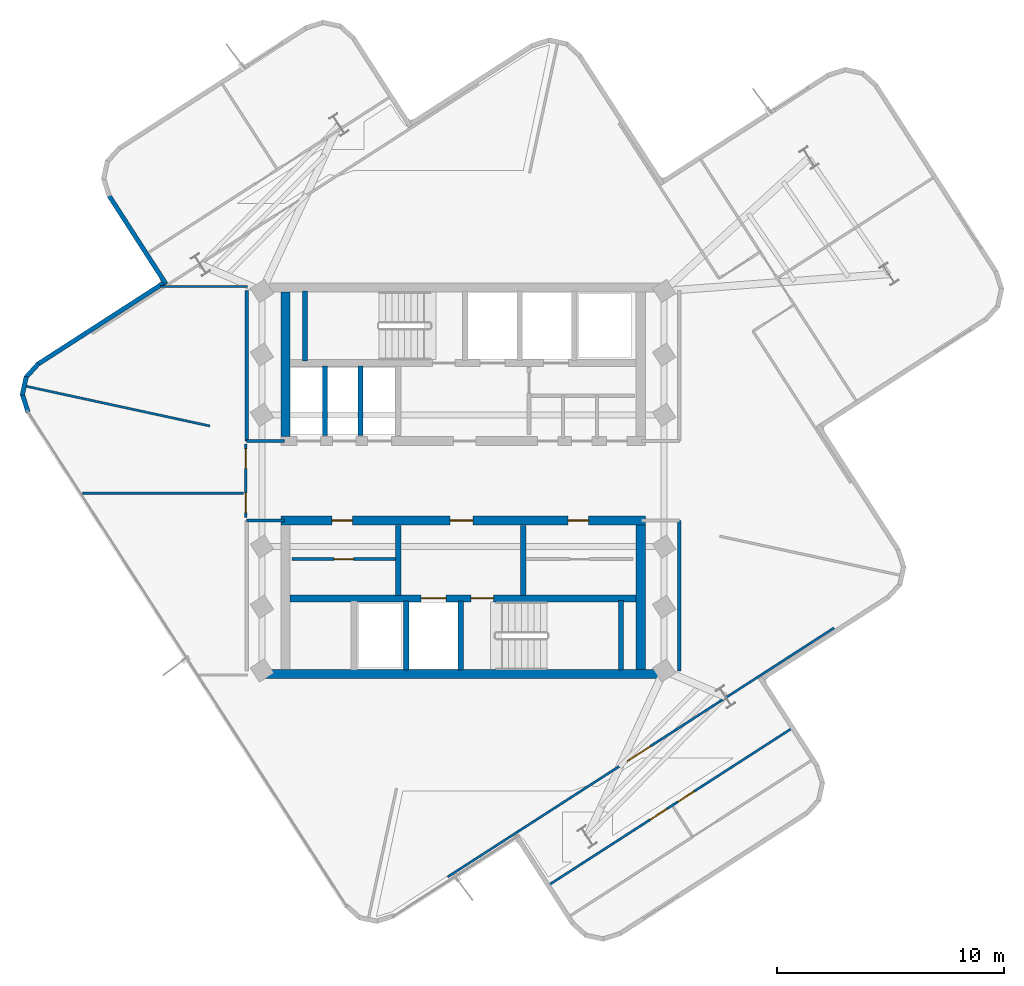
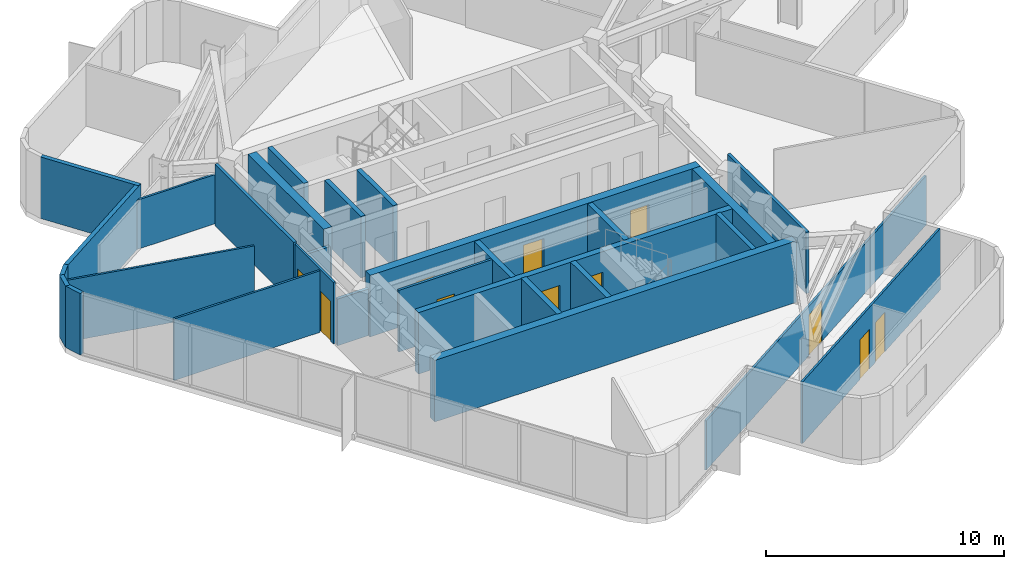
# One storey, part 5 of 9: 29 walls, 11 doors, 11 openings.
"""IFC4 building model written with IfcOpenShell, lengths in metres."""

import ifcopenshell
import ifcopenshell.guid

model = None  # the IFC model being written
_history = None  # IfcOwnerHistory: only IFC2X3 demands one
_inside = {}  # id of a spatial element -> (the spatial element, [elements in it])
_under = {}  # id of a project, library or spatial element -> (it, [spatial elements below it])
_declared = {}  # id of a project -> (the project, [libraries it declares])
_typed = {}  # id of a type object -> (the type object, [elements of that type])
_made_of = {}  # id of a material, layer set ... -> (it, [elements and type objects made of it])


def new_model(schema):
    """Start an empty IFC model of exactly this schema.

    Asked for "IFC4X3", IfcOpenShell would pick the latest addendum, in which some entities
    have other attributes; the version numbers below select the first issue.
    IFC2X3 requires an IfcOwnerHistory on every rooted entity: one is made here for all.
    """
    global model, _history
    if schema == "IFC4X3":
        model = ifcopenshell.file(schema_version=(4, 3, 0, 0))
    else:
        model = ifcopenshell.file(schema=schema)
    _inside.clear()
    _under.clear()
    _declared.clear()
    _typed.clear()
    _made_of.clear()
    _history = None
    if model.schema == "IFC2X3":
        org = make("IfcOrganization", Name="unknown")
        user = make(
            "IfcPersonAndOrganization",
            ThePerson=make("IfcPerson", FamilyName="unknown"),
            TheOrganization=org,
        )
        app = make(
            "IfcApplication",
            ApplicationDeveloper=org,
            Version="unknown",
            ApplicationFullName="unknown",
            ApplicationIdentifier="unknown",
        )
        _history = make(
            "IfcOwnerHistory",
            OwningUser=user,
            OwningApplication=app,
            ChangeAction="ADDED",
            CreationDate=0,
        )
    return model


def make(cls, **values):
    """One entity of the class cls with the attributes given. An attribute that is None is left unset."""
    return model.create_entity(
        cls, **{name: value for name, value in values.items() if value is not None}
    )


def rooted(cls, **values):
    """An entity with a GlobalId (a new one), such as an element, a storey or a relation."""
    return make(cls, GlobalId=ifcopenshell.guid.new(), OwnerHistory=_history, **values)


def si_unit(unit_type, name, prefix=None):
    """IfcSIUnit, for example si_unit("LENGTHUNIT", "METRE", prefix="MILLI")."""
    return make("IfcSIUnit", UnitType=unit_type, Prefix=prefix, Name=name)


def assignment(units):
    """IfcUnitAssignment: the units of a project."""
    return None if units is None else make("IfcUnitAssignment", Units=units)


def point(xyz):
    """IfcCartesianPoint."""
    return None if xyz is None else make("IfcCartesianPoint", Coordinates=xyz)


def direction(xyz):
    """IfcDirection."""
    return None if xyz is None else make("IfcDirection", DirectionRatios=xyz)


def frame(location, z_axis=None, x_axis=None):
    """IfcAxis2Placement3D, a coordinate frame: its origin and axes. An axis left out is left unset."""
    return make(
        "IfcAxis2Placement3D",
        Location=point(location),
        Axis=direction(z_axis),
        RefDirection=direction(x_axis),
    )


def frame_2d(location, x_axis=None):
    """IfcAxis2Placement2D, a coordinate frame in the plane: its origin and x axis."""
    return make(
        "IfcAxis2Placement2D", Location=point(location), RefDirection=direction(x_axis)
    )


def origin():
    """The frame at (0, 0, 0) with its axes left unset."""
    return frame((0.0, 0.0, 0.0))


def place(relative_to, where):
    """IfcLocalPlacement: puts the frame where relative to a parent placement (None: the world)."""
    return make(
        "IfcLocalPlacement", PlacementRelTo=relative_to, RelativePlacement=where
    )


def context(
    kind, dimensions, precision=None, world=None, true_north=None, identifier=None
):
    """IfcGeometricRepresentationContext, for example the 3D "Model" context."""
    return make(
        "IfcGeometricRepresentationContext",
        ContextIdentifier=identifier,
        ContextType=kind,
        CoordinateSpaceDimension=dimensions,
        Precision=precision,
        WorldCoordinateSystem=world,
        TrueNorth=true_north,
    )


def subcontext(parent, identifier, kind, view, scale=None):
    """IfcGeometricRepresentationSubContext, for example "Body" below "Model"."""
    return make(
        "IfcGeometricRepresentationSubContext",
        ContextIdentifier=identifier,
        ContextType=kind,
        ParentContext=parent,
        TargetScale=scale,
        TargetView=view,
    )


def project(units=None, contexts=None):
    """IfcProject with its units and contexts."""
    return rooted(
        "IfcProject",
        Name="project",
        RepresentationContexts=contexts,
        UnitsInContext=assignment(units),
    )


def spatial(cls, under=None, at=None, **own):
    """A site, building, storey or space (cls), placed at a placement, below another one or the project."""
    s = rooted(cls, ObjectPlacement=at, **own)
    if under is not None:
        _under.setdefault(under.id(), (under, []))[1].append(s)
    return s


def profile(cls, at=None, kind="AREA", **sizes):
    """A parametric profile (cls). Its sizes go by their IFC names, for example OverallWidth=200.0."""
    return make(cls, ProfileType=kind, Position=at, **sizes)


def rectangle(**sizes):
    """IfcRectangleProfileDef."""
    return profile("IfcRectangleProfileDef", **sizes)


def extrude(swept, where, along, depth):
    """IfcExtrudedAreaSolid: the profile swept, set in the frame where, extruded along a direction by depth."""
    return make(
        "IfcExtrudedAreaSolid",
        SweptArea=swept,
        Position=where,
        ExtrudedDirection=direction(along),
        Depth=depth,
    )


def shape(context_of_items, identifier, shape_type, items):
    """IfcShapeRepresentation: the items that make up one representation, for example the "Body"."""
    return make(
        "IfcShapeRepresentation",
        ContextOfItems=context_of_items,
        RepresentationIdentifier=identifier,
        RepresentationType=shape_type,
        Items=items,
    )


def material(Name=None, Category=None):
    """IfcMaterial."""
    return make("IfcMaterial", Name=Name, Category=Category)


def layer(
    of_material, thickness, ventilated=None, Name=None, Category=None, Priority=None
):
    """IfcMaterialLayer: one layer of a wall or slab, of a material (None: an air gap)."""
    return make(
        "IfcMaterialLayer",
        Material=of_material,
        LayerThickness=thickness,
        IsVentilated=ventilated,
        Name=Name,
        Category=Category,
        Priority=Priority,
    )


def layer_set(layers, Name=None):
    """IfcMaterialLayerSet."""
    return make("IfcMaterialLayerSet", MaterialLayers=layers, LayerSetName=Name)


def made_of(thing, what):
    """Note that an element or type object is made of a material, layer set ...; save() writes the relation."""
    if what is not None:
        _made_of.setdefault(what.id(), (what, []))[1].append(thing)
    return thing


def type_object(cls, material=None, **own):
    """A type object (cls), such as IfcWallType, which elements share."""
    return made_of(rooted(cls, **own), material)


def element(
    cls,
    number,
    at=None,
    inside=None,
    cuts=None,
    type_object=None,
    material=None,
    context=None,
    identifier="Body",
    shape_type=None,
    held_by="IfcProductDefinitionShape",
    body=None,
    shapes=None,
    **own,
):
    """One element of the class cls, such as IfcWall. Its Tag is "e" and its number.

    at: its placement. inside: the storey or other place that contains it. cuts: it is an
    opening in that element (IfcRelVoidsElement). A single representation is given by context,
    identifier, shape_type and body (its items); several are given by shapes. held_by: the class
    of the entity that holds the representations. save() writes the other relations.
    """
    e = rooted(cls, Tag="e%d" % number, ObjectPlacement=at, **own)
    if body is not None:
        shapes = [shape(context, identifier, shape_type, body)]
    if shapes is not None:
        e.Representation = make(held_by, Representations=shapes)
    if inside is not None:
        _inside.setdefault(inside.id(), (inside, []))[1].append(e)
    if cuts is not None:
        rooted(
            "IfcRelVoidsElement", RelatingBuildingElement=cuts, RelatedOpeningElement=e
        )
    if type_object is not None:
        _typed.setdefault(type_object.id(), (type_object, []))[1].append(e)
    return made_of(e, material)


def fill(opening, filler):
    """IfcRelFillsElement: the door or window that sits in an opening."""
    return rooted(
        "IfcRelFillsElement",
        RelatingOpeningElement=opening,
        RelatedBuildingElement=filler,
    )


def aggregate(whole, parts):
    """IfcRelAggregates: a whole, such as a stair, and the parts it consists of."""
    return rooted("IfcRelAggregates", RelatingObject=whole, RelatedObjects=parts)


def save(model, path):
    """Write the relations noted so far, then the file.

    IfcRelAggregates (storeys below a building ...), IfcRelContainedInSpatialStructure (elements
    in a storey), IfcRelDefinesByType, IfcRelAssociatesMaterial and IfcRelDeclares: one each for
    every whole, place, type object, material and project.
    """
    for whole, parts in _under.values():
        aggregate(whole, parts)
    for where, things in _inside.values():
        rooted(
            "IfcRelContainedInSpatialStructure",
            RelatedElements=things,
            RelatingStructure=where,
        )
    for kind, things in _typed.values():
        rooted("IfcRelDefinesByType", RelatedObjects=things, RelatingType=kind)
    for what, things in _made_of.values():
        rooted("IfcRelAssociatesMaterial", RelatedObjects=things, RelatingMaterial=what)
    for by, libraries in _declared.values():
        rooted("IfcRelDeclares", RelatingContext=by, RelatedDefinitions=libraries)
    model.write(path)


model = new_model("IFC4")

# Units and contexts
model_context = context("Model", 3, precision=1e-05, world=origin(), true_north=direction((0.0, 1.0)))
body_context = subcontext(model_context, "Body", "Model", "MODEL_VIEW")
ifc_project = project(units=[si_unit("LENGTHUNIT", "METRE"), si_unit("AREAUNIT", "SQUARE_METRE"), si_unit("VOLUMEUNIT", "CUBIC_METRE"), si_unit("PLANEANGLEUNIT", "RADIAN"), si_unit("MASSUNIT", "GRAM", prefix="KILO")], contexts=[model_context])

# Site, building, storey
site_placement = place(None, origin())
site = spatial("IfcSite", under=ifc_project, at=site_placement, CompositionType="ELEMENT")
building_placement = place(site_placement, origin())
building = spatial("IfcBuilding", under=site, at=building_placement, Name="Solmarez Civic Tower", CompositionType="ELEMENT")
storey_placement = place(building_placement, frame((0.0, 0.0, 215.4599609375)))
storey = spatial("IfcBuildingStorey", under=building, at=storey_placement, Name="L57", CompositionType="ELEMENT", Elevation=215.4599609375)

# Walls
ifc_material_1 = material(Name="Concrete C50/60", Category="concrete")
ifc_layer_1 = layer(ifc_material_1, 0.39990234375)
ifc_layer_set_1 = layer_set([ifc_layer_1], Name="Concrete C50/60")
wall_type_1 = type_object("IfcWallType", Name="WALL-CORE-400", PredefinedType="SHEAR", material=ifc_layer_set_1)
wall_1_placement = place(storey_placement, frame((-7.820068359375, 1.949951171875, 0.0), z_axis=(0.0, 0.0, 1.0), x_axis=(0.0, 1.0, 0.0)))
element("IfcWall", 1, at=wall_1_placement, inside=storey, type_object=wall_type_1, Name="L57 Split-Core Structural Wall NCW-W-L57", PredefinedType="SHEAR", context=body_context, shape_type="SweptSolid", body=[
    extrude(rectangle(XDim=6.360107421875, YDim=0.39990234375, at=frame_2d((3.18017578125, 0.0))), origin(), (0.0, 0.0, 1.0), 3.16015625),
])
wall_2_placement = place(storey_placement, frame((8.780029296875, -8.510009765625, 0.0), z_axis=(0.0, 0.0, 1.0), x_axis=(-1.0, 0.0, 0.0)))
element("IfcWall", 2, at=wall_2_placement, inside=storey, type_object=wall_type_1, Name="L57 Split-Core Structural Wall SCW-S-L57", PredefinedType="SHEAR", context=body_context, shape_type="SweptSolid", body=[
    extrude(rectangle(XDim=17.56005859375, YDim=0.39990234375, at=frame_2d((8.780029296875, 0.0))), origin(), (0.0, 0.0, 1.0), 3.16015625),
])

# Wall, openings, doors
wall_3_placement = place(storey_placement, frame((-8.02001953125, -1.75, 0.0), z_axis=(0.0, 0.0, 1.0), x_axis=(1.0, 0.0, 0.0)))
wall_3 = element("IfcWall", 3, at=wall_3_placement, inside=storey, type_object=wall_type_1, Name="L57 Split-Core Structural Wall SCW-N-L57", PredefinedType="SHEAR", context=body_context, shape_type="SweptSolid", body=[
    extrude(rectangle(XDim=16.0400390625, YDim=0.39990234375, at=frame_2d((8.02001953125, 0.0))), origin(), (0.0, 0.0, 1.0), 3.16015625),
])
opening_1_placement = place(wall_3_placement, frame((7.449951171875, 0.0, 0.0)))
opening_1 = element("IfcOpeningElement", 4, at=opening_1_placement, cuts=wall_3, Name="Opening D-04", PredefinedType="OPENING", context=body_context, shape_type="SweptSolid", body=[
    extrude(rectangle(XDim=1.0, YDim=2.10009765625, at=frame_2d((0.5, 1.050048828125))), frame((0.0, 0.2099609375, 0.0), z_axis=(0.0, -1.0, 0.0), x_axis=(1.0, 0.0, 0.0)), (0.0, 0.0, 1.0), 0.419921875),
])
opening_2_placement = place(wall_3_placement, frame((12.64990234375, 0.0, 0.0)))
opening_2 = element("IfcOpeningElement", 5, at=opening_2_placement, cuts=wall_3, Name="Opening D-09", PredefinedType="OPENING", context=body_context, shape_type="SweptSolid", body=[
    extrude(rectangle(XDim=0.89990234375, YDim=2.06005859375, at=frame_2d((0.449951171875, 1.030029296875))), frame((0.0, 0.2099609375, 0.0), z_axis=(0.0, -1.0, 0.0), x_axis=(1.0, 0.0, 0.0)), (0.0, 0.0, 1.0), 0.419921875),
])
opening_3_placement = place(wall_3_placement, frame((2.25, 0.0, 0.0)))
opening_3 = element("IfcOpeningElement", 6, at=opening_3_placement, cuts=wall_3, Name="Opening D-09", PredefinedType="OPENING", context=body_context, shape_type="SweptSolid", body=[
    extrude(rectangle(XDim=0.89990234375, YDim=2.06005859375, at=frame_2d((0.449951171875, 1.030029296875))), frame((0.0, 0.2099609375, 0.0), z_axis=(0.0, -1.0, 0.0), x_axis=(1.0, 0.0, 0.0)), (0.0, 0.0, 1.0), 0.419921875),
])
ifc_material_2 = material(Name="Steel-Faced Acoustic Fire Door", Category="steel")
door_type_1 = type_object("IfcDoorType", Name="DOOR-FD60-1000", OperationType="NOTDEFINED", PredefinedType="DOOR", material=ifc_material_2)
door_1_placement = place(opening_1_placement, origin())
door_1 = element("IfcDoor", 7, at=door_1_placement, inside=storey, type_object=door_type_1, Name="L57 South Firefighting Lobby Door", OperationType="SINGLE_SWING_LEFT", OverallHeight=2.10009765625, OverallWidth=1.0, PredefinedType="DOOR", context=body_context, shape_type="SweptSolid", body=[
    extrude(rectangle(XDim=1.0, YDim=2.10009765625, at=frame_2d((0.5, 1.050048828125))), frame((0.0, 0.02490234375, 0.0), z_axis=(0.0, -1.0, 0.0), x_axis=(1.0, 0.0, 0.0)), (0.0, 0.0, 1.0), 0.050048828125),
])
fill(opening_1, door_1)
ifc_material_3 = material(Name="Fire-Rated Service Core Door", Category="wood")
door_type_2 = type_object("IfcDoorType", Name="DOOR-FD60-900", OperationType="NOTDEFINED", PredefinedType="DOOR", material=ifc_material_3)
door_2_placement = place(opening_2_placement, origin())
door_2 = element("IfcDoor", 8, at=door_2_placement, inside=storey, type_object=door_type_2, Name="L57 Freed Hoistway Mailroom Door", OperationType="SINGLE_SWING_LEFT", OverallHeight=2.06005859375, OverallWidth=0.89990234375, PredefinedType="DOOR", context=body_context, shape_type="SweptSolid", body=[
    extrude(rectangle(XDim=0.89990234375, YDim=2.06005859375, at=frame_2d((0.449951171875, 1.030029296875))), frame((0.0, 0.02490234375, 0.0), z_axis=(0.0, -1.0, 0.0), x_axis=(1.0, 0.0, 0.0)), (0.0, 0.0, 1.0), 0.050048828125),
])
fill(opening_2, door_2)
door_3_placement = place(opening_3_placement, origin())
door_3 = element("IfcDoor", 9, at=door_3_placement, inside=storey, type_object=door_type_2, Name="L57 Staff Kitchenette Pantry Door", OperationType="SINGLE_SWING_RIGHT", OverallHeight=2.06005859375, OverallWidth=0.89990234375, PredefinedType="DOOR", context=body_context, shape_type="SweptSolid", body=[
    extrude(rectangle(XDim=0.89990234375, YDim=2.06005859375, at=frame_2d((0.449951171875, 1.030029296875))), frame((0.0, 0.02490234375, 0.0), z_axis=(0.0, -1.0, 0.0), x_axis=(1.0, 0.0, 0.0)), (0.0, 0.0, 1.0), 0.050048828125),
])
fill(opening_3, door_3)

# Walls
wall_4_placement = place(storey_placement, frame((7.820068359375, -1.949951171875, 0.0), z_axis=(0.0, 0.0, 1.0), x_axis=(0.0, -1.0, 0.0)))
element("IfcWall", 10, at=wall_4_placement, inside=storey, type_object=wall_type_1, Name="L57 Split-Core Structural Wall SCW-E-L57", PredefinedType="SHEAR", context=body_context, shape_type="SweptSolid", body=[
    extrude(rectangle(XDim=6.360107421875, YDim=0.39990234375, at=frame_2d((3.18017578125, 0.0))), origin(), (0.0, 0.0, 1.0), 3.16015625),
])
ifc_material_4 = material(Name="Precast concrete C40/50", Category="concrete")
ifc_layer_2 = layer(ifc_material_4, 0.199951171875)
ifc_layer_set_2 = layer_set([ifc_layer_2], Name="Precast concrete C40/50")
wall_type_2 = type_object("IfcWallType", Name="WALL-EXT-200", PredefinedType="SOLIDWALL", material=ifc_layer_set_2)
wall_5_placement = place(storey_placement, frame((-19.14599609375, 3.02294921875, 0.0), z_axis=(0.0, 0.0, 1.0), x_axis=(-0.306602907463, 0.951837516142, 0.0)))
element("IfcWall", 11, at=wall_5_placement, inside=storey, type_object=wall_type_2, Name="L57 Exterior Precast Wall 7", PredefinedType="SOLIDWALL", context=body_context, shape_type="SweptSolid", body=[
    extrude(rectangle(XDim=0.83837890625, YDim=0.199951171875, at=frame_2d((0.419189453125, 0.0))), origin(), (0.0, 0.0, 1.0), 3.16015625),
])
wall_6_placement = place(storey_placement, frame((-19.39990234375, 3.77294921875, 0.0), z_axis=(0.0, 0.0, 1.0), x_axis=(0.211087829535, 0.977467098281, 0.0)))
element("IfcWall", 12, at=wall_6_placement, inside=storey, type_object=wall_type_2, Name="L57 Exterior Precast Wall 8", PredefinedType="SOLIDWALL", context=body_context, shape_type="SweptSolid", body=[
    extrude(rectangle(XDim=0.823486328125, YDim=0.199951171875, at=frame_2d((0.41162109375, 0.0))), origin(), (0.0, 0.0, 1.0), 3.16015625),
])
wall_7_placement = place(storey_placement, frame((-19.248046875, 4.534912109375, 0.0), z_axis=(0.0, 0.0, 1.0), x_axis=(0.671019988703, 0.741439258983, 0.0)))
element("IfcWall", 13, at=wall_7_placement, inside=storey, type_object=wall_type_2, Name="L57 Exterior Precast Wall 9", PredefinedType="SOLIDWALL", context=body_context, shape_type="SweptSolid", body=[
    extrude(rectangle(XDim=0.839111328125, YDim=0.199951171875, at=frame_2d((0.41943359375, 0.0))), origin(), (0.0, 0.0, 1.0), 3.16015625),
])
wall_8_placement = place(storey_placement, frame((-18.722900390625, 5.1240234375, 0.0), z_axis=(0.0, 0.0, 1.0), x_axis=(0.840584959151, 0.541679726821, 0.0)))
element("IfcWall", 14, at=wall_8_placement, inside=storey, type_object=wall_type_2, Name="L57 Exterior Precast Wall 10", PredefinedType="SOLIDWALL", context=body_context, shape_type="SweptSolid", body=[
    extrude(rectangle(XDim=6.74169921875, YDim=0.199951171875, at=frame_2d((3.370849609375, 0.0))), origin(), (0.0, 0.0, 1.0), 3.16015625),
])
wall_9_placement = place(storey_placement, frame((-13.080078125, 8.666015625, 0.0), z_axis=(0.0, 0.0, 1.0), x_axis=(-0.541732711374, 0.840550813114, 0.0)))
element("IfcWall", 15, at=wall_9_placement, inside=storey, type_object=wall_type_2, Name="L57 Exterior Precast Wall 13", PredefinedType="SOLIDWALL", context=body_context, shape_type="SweptSolid", body=[
    extrude(rectangle(XDim=4.642333984375, YDim=0.199951171875, at=frame_2d((2.3212890625, 0.0))), origin(), (0.0, 0.0, 1.0), 3.16015625),
])
ifc_material_5 = material(Name="Gypsum Board Acoustic Steel-Stud Partition", Category="steel")
ifc_layer_3 = layer(ifc_material_5, 0.14990234375)
ifc_layer_set_3 = layer_set([ifc_layer_3], Name="Gypsum Board Acoustic Steel-Stud Partition")
wall_type_3 = type_object("IfcWallType", Name="WALL-INT-FIRE-150", PredefinedType="PARTITIONING", material=ifc_layer_set_3)
wall_10_placement = place(storey_placement, frame((-9.52001953125, 1.75, 0.0), z_axis=(0.0, 0.0, 1.0), x_axis=(0.0, 1.0, 0.0)))
element("IfcWall", 16, at=wall_10_placement, inside=storey, type_object=wall_type_3, Name="L57 Interior Partition CHW-L57-WN1", PredefinedType="PARTITIONING", context=body_context, shape_type="SweptSolid", body=[
    extrude(rectangle(XDim=6.6298828125, YDim=0.14990234375, at=frame_2d((3.31494140625, 0.0))), origin(), (0.0, 0.0, 1.0), 3.16015625),
])
for number, where, z_axis, x_axis, name in (
    (17, (-7.85009765625, 1.75, 0.0), (0.0, 0.0, 1.0), (-1.0, 0.0, 0.0), "L57 Interior Partition CHW-L57-WN3"),
    (18, (-7.85009765625, -1.75, 0.0), (0.0, 0.0, 1.0), (-1.0, 0.0, 0.0), "L57 Interior Partition CHW-L57-WS3"),
):
    element("IfcWall", number, at=place(storey_placement, frame(where, z_axis=z_axis, x_axis=x_axis)), inside=storey, type_object=wall_type_3, Name=name, PredefinedType="PARTITIONING", context=body_context, shape_type="SweptSolid", body=[
        extrude(rectangle(XDim=1.669921875, YDim=0.14990234375, at=frame_2d((0.8349609375, 0.0))), origin(), (0.0, 0.0, 1.0), 2.39013671875),
    ])
wall_11_placement = place(storey_placement, frame((9.52001953125, -8.3798828125, 0.0), z_axis=(0.0, 0.0, 1.0), x_axis=(0.0, 1.0, 0.0)))
element("IfcWall", 19, at=wall_11_placement, inside=storey, type_object=wall_type_3, Name="L57 Interior Partition CHW-L57-ES1", PredefinedType="PARTITIONING", context=body_context, shape_type="SweptSolid", body=[
    extrude(rectangle(XDim=6.6298828125, YDim=0.14990234375, at=frame_2d((3.31494140625, 0.0))), origin(), (0.0, 0.0, 1.0), 3.16015625),
])
ifc_layer_4 = layer(ifc_material_5, 0.10009765625)
ifc_layer_set_4 = layer_set([ifc_layer_4], Name="Gypsum Board Acoustic Steel-Stud Partition")
wall_type_4 = type_object("IfcWallType", Name="WALL-INT-PART-100", PredefinedType="PARTITIONING", material=ifc_layer_set_4)
wall_12_placement = place(storey_placement, frame((-16.759033203125, -0.550048828125, 0.0), z_axis=(0.0, 0.0, 1.0), x_axis=(1.0, 0.0, 0.0)))
element("IfcWall", 20, at=wall_12_placement, inside=storey, type_object=wall_type_4, Name="L57 Interior Partition PT-L57-WH-DIV", PredefinedType="PARTITIONING", context=body_context, shape_type="SweptSolid", body=[
    extrude(rectangle(XDim=7.09912109375, YDim=0.10009765625, at=frame_2d((3.549560546875, 0.0))), origin(), (0.0, 0.0, 1.0), 3.16015625),
])
wall_13_placement = place(storey_placement, frame((-13.305908203125, 8.550048828125, 0.0), z_axis=(0.0, 0.0, 1.0), x_axis=(1.0, 0.0, 0.0)))
element("IfcWall", 21, at=wall_13_placement, inside=storey, type_object=wall_type_4, Name="L57 Interior Partition PT-L57-WH-BN", PredefinedType="PARTITIONING", context=body_context, shape_type="SweptSolid", body=[
    extrude(rectangle(XDim=3.825927734375, YDim=0.10009765625, at=frame_2d((1.9130859375, 0.0))), origin(), (0.0, 0.0, 1.0), 2.530029296875),
])

# Wall, openings, doors
wall_14_placement = place(storey_placement, frame((-9.56005859375, -1.6201171875, 0.0), z_axis=(0.0, 0.0, 1.0), x_axis=(0.0, 1.0, 0.0)))
wall_14 = element("IfcWall", 22, at=wall_14_placement, inside=storey, type_object=wall_type_4, Name="L57 Interior Partition PT-L57-WH-ENT", PredefinedType="PARTITIONING", context=body_context, shape_type="SweptSolid", body=[
    extrude(rectangle(XDim=3.240234375, YDim=0.10009765625, at=frame_2d((1.6201171875, 0.0))), origin(), (0.0, 0.0, 1.0), 3.16015625),
])
opening_4_placement = place(wall_14_placement, frame((0.219970703125, 0.0, 0.0)))
opening_4 = element("IfcOpeningElement", 23, at=opening_4_placement, cuts=wall_14, Name="Opening D-14", PredefinedType="OPENING", context=body_context, shape_type="SweptSolid", body=[
    extrude(rectangle(XDim=0.860107421875, YDim=2.0400390625, at=frame_2d((0.43017578125, 1.02001953125))), frame((0.0, 0.06005859375, 0.0), z_axis=(0.0, -1.0, 0.0), x_axis=(1.0, 0.0, 0.0)), (0.0, 0.0, 1.0), 0.1201171875),
])
opening_5_placement = place(wall_14_placement, frame((2.159912109375, 0.0, 0.0)))
opening_5 = element("IfcOpeningElement", 24, at=opening_5_placement, cuts=wall_14, Name="Opening D-14", PredefinedType="OPENING", context=body_context, shape_type="SweptSolid", body=[
    extrude(rectangle(XDim=0.860107421875, YDim=2.0400390625, at=frame_2d((0.43017578125, 1.02001953125))), frame((0.0, 0.06005859375, 0.0), z_axis=(0.0, -1.0, 0.0), x_axis=(1.0, 0.0, 0.0)), (0.0, 0.0, 1.0), 0.1201171875),
])
ifc_material_6 = material(Name="Timber Storage and Pantry Door", Category="wood")
door_type_3 = type_object("IfcDoorType", Name="DOOR-INT-850", OperationType="NOTDEFINED", PredefinedType="DOOR", material=ifc_material_6)
door_4_placement = place(opening_4_placement, origin())
door_4 = element("IfcDoor", 25, at=door_4_placement, inside=storey, type_object=door_type_3, Name="L57 Public Reception Room West Second Door", OperationType="SINGLE_SWING_RIGHT", OverallHeight=2.0400390625, OverallWidth=0.860107421875, PredefinedType="DOOR", context=body_context, shape_type="SweptSolid", body=[
    extrude(rectangle(XDim=0.860107421875, YDim=2.0400390625, at=frame_2d((0.43017578125, 1.02001953125))), frame((0.0, 0.02490234375, 0.0), z_axis=(0.0, -1.0, 0.0), x_axis=(1.0, 0.0, 0.0)), (0.0, 0.0, 1.0), 0.050048828125),
])
fill(opening_4, door_4)
door_5_placement = place(opening_5_placement, origin())
door_5 = element("IfcDoor", 26, at=door_5_placement, inside=storey, type_object=door_type_3, Name="L57 Delegates Sitting Lounge West First Door", OperationType="SINGLE_SWING_LEFT", OverallHeight=2.0400390625, OverallWidth=0.860107421875, PredefinedType="DOOR", context=body_context, shape_type="SweptSolid", body=[
    extrude(rectangle(XDim=0.860107421875, YDim=2.0400390625, at=frame_2d((0.43017578125, 1.02001953125))), frame((0.0, 0.02490234375, 0.0), z_axis=(0.0, -1.0, 0.0), x_axis=(1.0, 0.0, 0.0)), (0.0, 0.0, 1.0), 0.050048828125),
])
fill(opening_5, door_5)

# Wall
wall_15_placement = place(storey_placement, frame((-11.14306640625, 2.408935546875, 0.0), z_axis=(0.0, 0.0, 1.0), x_axis=(-0.977406112831, 0.211370032411, 0.0)))
element("IfcWall", 27, at=wall_15_placement, inside=storey, type_object=wall_type_4, Name="L57 Interior Partition PT-L57-QDIV-2", PredefinedType="PARTITIONING", context=body_context, shape_type="SweptSolid", body=[
    extrude(rectangle(XDim=8.29443359375, YDim=0.10009765625, at=frame_2d((4.147216796875, 0.0))), origin(), (0.0, 0.0, 1.0), 3.16015625),
])

# Wall, opening, door
wall_16_placement = place(storey_placement, frame((16.3310546875, -6.47607421875, 0.0), z_axis=(0.0, 0.0, 1.0), x_axis=(-0.840579457381, -0.541688264437, 0.0)))
wall_16 = element("IfcWall", 28, at=wall_16_placement, inside=storey, type_object=wall_type_4, Name="L57 Interior Partition PT-L57-S-ENT", PredefinedType="PARTITIONING", context=body_context, shape_type="SweptSolid", body=[
    extrude(rectangle(XDim=20.23828125, YDim=0.10009765625, at=frame_2d((10.119140625, 0.0))), origin(), (0.0, 0.0, 1.0), 2.530029296875),
])
opening_6_placement = place(wall_16_placement, frame((9.618896484375, 0.0, 0.0)))
opening_6 = element("IfcOpeningElement", 29, at=opening_6_placement, cuts=wall_16, Name="Opening D-11", PredefinedType="OPENING", context=body_context, shape_type="SweptSolid", body=[
    extrude(rectangle(XDim=1.199951171875, YDim=2.10009765625, at=frame_2d((0.60009765625, 1.050048828125))), frame((0.0, 0.06005859375, 0.0), z_axis=(0.0, -1.0, 0.0), x_axis=(1.0, 0.0, 0.0)), (0.0, 0.0, 1.0), 0.1201171875),
])
ifc_material_7 = material(Name="Glazed-Vision Acoustic Chamber Door", Category="wood")
door_type_4 = type_object("IfcDoorType", Name="DOOR-INT-1200", OperationType="NOTDEFINED", PredefinedType="DOOR", material=ifc_material_7)
door_6_placement = place(opening_6_placement, origin())
door_6 = element("IfcDoor", 30, at=door_6_placement, inside=storey, type_object=door_type_4, Name="L57 Public Reception Room First South Door", OperationType="SINGLE_SWING_LEFT", OverallHeight=2.10009765625, OverallWidth=1.199951171875, PredefinedType="DOOR", context=body_context, shape_type="SweptSolid", body=[
    extrude(rectangle(XDim=1.199951171875, YDim=2.10009765625, at=frame_2d((0.60009765625, 1.050048828125))), frame((0.0, 0.02490234375, 0.0), z_axis=(0.0, -1.0, 0.0), x_axis=(1.0, 0.0, 0.0)), (0.0, 0.0, 1.0), 0.050048828125),
])
fill(opening_6, door_6)

# Wall, openings, doors
wall_17_placement = place(storey_placement, frame((3.800048828125, -17.77490234375, 0.0), z_axis=(0.0, 0.0, 1.0), x_axis=(0.840588193286, 0.54167470802, 0.0)))
wall_17 = element("IfcWall", 31, at=wall_17_placement, inside=storey, type_object=wall_type_4, Name="L57 Interior Partition PT-L57-S-S1", PredefinedType="PARTITIONING", context=body_context, shape_type="SweptSolid", body=[
    extrude(rectangle(XDim=12.669677734375, YDim=0.10009765625, at=frame_2d((6.3349609375, 0.0))), origin(), (0.0, 0.0, 1.0), 3.16015625),
])
opening_7_placement = place(wall_17_placement, frame((5.284912109375, 0.0, 0.0)))
opening_7 = element("IfcOpeningElement", 32, at=opening_7_placement, cuts=wall_17, Name="Opening D-14", PredefinedType="OPENING", context=body_context, shape_type="SweptSolid", body=[
    extrude(rectangle(XDim=0.860107421875, YDim=2.0400390625, at=frame_2d((0.43017578125, 1.02001953125))), frame((0.0, 0.06005859375, 0.0), z_axis=(0.0, -1.0, 0.0), x_axis=(1.0, 0.0, 0.0)), (0.0, 0.0, 1.0), 0.1201171875),
])
opening_8_placement = place(wall_17_placement, frame((6.72509765625, 0.0, 0.0)))
opening_8 = element("IfcOpeningElement", 33, at=opening_8_placement, cuts=wall_17, Name="Opening D-14", PredefinedType="OPENING", context=body_context, shape_type="SweptSolid", body=[
    extrude(rectangle(XDim=0.860107421875, YDim=2.0400390625, at=frame_2d((0.43017578125, 1.02001953125))), frame((0.0, 0.06005859375, 0.0), z_axis=(0.0, -1.0, 0.0), x_axis=(1.0, 0.0, 0.0)), (0.0, 0.0, 1.0), 0.1201171875),
])
door_7_placement = place(opening_7_placement, origin())
door_7 = element("IfcDoor", 34, at=door_7_placement, inside=storey, type_object=door_type_3, Name="L57 Civic Training Classroom Third South Door", OperationType="SINGLE_SWING_RIGHT", OverallHeight=2.0400390625, OverallWidth=0.860107421875, PredefinedType="DOOR", context=body_context, shape_type="SweptSolid", body=[
    extrude(rectangle(XDim=0.860107421875, YDim=2.0400390625, at=frame_2d((0.43017578125, 1.02001953125))), frame((0.0, 0.02490234375, 0.0), z_axis=(0.0, -1.0, 0.0), x_axis=(1.0, 0.0, 0.0)), (0.0, 0.0, 1.0), 0.050048828125),
])
fill(opening_7, door_7)
door_8_placement = place(opening_8_placement, origin())
door_8 = element("IfcDoor", 35, at=door_8_placement, inside=storey, type_object=door_type_3, Name="L57 Legislative Seminar Room Second South Door", OperationType="SINGLE_SWING_LEFT", OverallHeight=2.0400390625, OverallWidth=0.860107421875, PredefinedType="DOOR", context=body_context, shape_type="SweptSolid", body=[
    extrude(rectangle(XDim=0.860107421875, YDim=2.0400390625, at=frame_2d((0.43017578125, 1.02001953125))), frame((0.0, 0.02490234375, 0.0), z_axis=(0.0, -1.0, 0.0), x_axis=(1.0, 0.0, 0.0)), (0.0, 0.0, 1.0), 0.050048828125),
])
fill(opening_8, door_8)

# Wall, opening, door
ifc_layer_5 = layer(ifc_material_5, 0.1201171875)
ifc_layer_set_5 = layer_set([ifc_layer_5], Name="Gypsum Board Acoustic Steel-Stud Partition")
wall_type_5 = type_object("IfcWallType", Name="WALL-INT-PART-120", PredefinedType="PARTITIONING", material=ifc_layer_set_5)
wall_18_placement = place(storey_placement, frame((-7.52001953125, -3.449951171875, 0.0), z_axis=(0.0, 0.0, 1.0), x_axis=(1.0, 0.0, 0.0)))
wall_18 = element("IfcWall", 36, at=wall_18_placement, inside=storey, type_object=wall_type_5, Name="L57 Interior Partition PT-FPLM-L57", PredefinedType="PARTITIONING", context=body_context, shape_type="SweptSolid", body=[
    extrude(rectangle(XDim=4.5400390625, YDim=0.1201171875, at=frame_2d((2.27001953125, 0.0))), origin(), (0.0, 0.0, 1.0), 3.16015625),
])
opening_9_placement = place(wall_18_placement, frame((1.840087890625, 0.0, 0.0)))
opening_9 = element("IfcOpeningElement", 37, at=opening_9_placement, cuts=wall_18, Name="Opening D-14", PredefinedType="OPENING", context=body_context, shape_type="SweptSolid", body=[
    extrude(rectangle(XDim=0.860107421875, YDim=2.0400390625, at=frame_2d((0.43017578125, 1.02001953125))), frame((0.0, 0.070068359375, 0.0), z_axis=(0.0, -1.0, 0.0), x_axis=(1.0, 0.0, 0.0)), (0.0, 0.0, 1.0), 0.14013671875),
])
door_9_placement = place(opening_9_placement, origin())
door_9 = element("IfcDoor", 38, at=door_9_placement, inside=storey, type_object=door_type_3, Name="L57 Directorate Copy Office Door", OperationType="SINGLE_SWING_RIGHT", OverallHeight=2.0400390625, OverallWidth=0.860107421875, PredefinedType="DOOR", context=body_context, shape_type="SweptSolid", body=[
    extrude(rectangle(XDim=0.860107421875, YDim=2.0400390625, at=frame_2d((0.43017578125, 1.02001953125))), frame((0.0, 0.02490234375, 0.0), z_axis=(0.0, -1.0, 0.0), x_axis=(1.0, 0.0, 0.0)), (0.0, 0.0, 1.0), 0.050048828125),
])
fill(opening_9, door_9)

# Wall, openings, doors
ifc_layer_6 = layer(ifc_material_1, 0.300048828125)
ifc_layer_set_6 = layer_set([ifc_layer_6], Name="Concrete C50/60")
wall_type_6 = type_object("IfcWallType", Name="WALL-STR-300", PredefinedType="SOLIDWALL", material=ifc_layer_set_6)
wall_19_placement = place(storey_placement, frame((-7.6201171875, -5.179931640625, 0.0), z_axis=(0.0, 0.0, 1.0), x_axis=(1.0, 0.0, 0.0)))
wall_19 = element("IfcWall", 39, at=wall_19_placement, inside=storey, type_object=wall_type_6, Name="L57 Split-Core Structural Wall SCW-M-L57", PredefinedType="SOLIDWALL", context=body_context, shape_type="SweptSolid", body=[
    extrude(rectangle(XDim=15.240234375, YDim=0.300048828125, at=frame_2d((7.6201171875, 0.0))), origin(), (0.0, 0.0, 1.0), 3.16015625),
])
opening_10_placement = place(wall_19_placement, frame((5.77001953125, 0.0, 0.0)))
opening_10 = element("IfcOpeningElement", 40, at=opening_10_placement, cuts=wall_19, Name="Opening LD-02", PredefinedType="OPENING", context=body_context, shape_type="SweptSolid", body=[
    extrude(rectangle(XDim=1.10009765625, YDim=2.14990234375, at=frame_2d((0.550048828125, 1.074951171875))), frame((0.0, 0.159912109375, 0.0), z_axis=(0.0, -1.0, 0.0), x_axis=(1.0, 0.0, 0.0)), (0.0, 0.0, 1.0), 0.320068359375),
])
opening_11_placement = place(wall_19_placement, frame((7.969970703125, 0.0, 0.0)))
opening_11 = element("IfcOpeningElement", 41, at=opening_11_placement, cuts=wall_19, Name="Opening D-05", PredefinedType="OPENING", context=body_context, shape_type="SweptSolid", body=[
    extrude(rectangle(XDim=1.0, YDim=2.10009765625, at=frame_2d((0.5, 1.050048828125))), frame((0.0, 0.159912109375, 0.0), z_axis=(0.0, -1.0, 0.0), x_axis=(1.0, 0.0, 0.0)), (0.0, 0.0, 1.0), 0.320068359375),
])
ifc_material_8 = material(Name="Fire-Rated Stairwell Exit Door", Category="wood")
door_type_5 = type_object("IfcDoorType", Name="DOOR-FD90-1000", OperationType="NOTDEFINED", PredefinedType="DOOR", material=ifc_material_8)
door_10_placement = place(opening_11_placement, origin())
door_10 = element("IfcDoor", 42, at=door_10_placement, inside=storey, type_object=door_type_5, Name="L57 South Exit Stair Door ST-2", OperationType="SINGLE_SWING_LEFT", OverallHeight=2.10009765625, OverallWidth=1.0, PredefinedType="DOOR", context=body_context, shape_type="SweptSolid", body=[
    extrude(rectangle(XDim=1.0, YDim=2.10009765625, at=frame_2d((0.5, 1.050048828125))), frame((0.0, 0.02490234375, 0.0), z_axis=(0.0, -1.0, 0.0), x_axis=(1.0, 0.0, 0.0)), (0.0, 0.0, 1.0), 0.050048828125),
])
fill(opening_11, door_10)
ifc_material_9 = material(Name="Stainless Firefighting Lift Landing Sliding Door", Category="aluminium")
door_type_6 = type_object("IfcDoorType", Name="DOOR-LD-FF-1100", OperationType="DOUBLE_DOOR_SLIDING", PredefinedType="DOOR", material=ifc_material_9)
door_11_placement = place(opening_10_placement, origin())
door_11 = element("IfcDoor", 43, at=door_11_placement, inside=storey, type_object=door_type_6, Name="L57 Firefighting Lift Landing Door FFL-2", OperationType="DOUBLE_DOOR_SLIDING", OverallHeight=2.14990234375, OverallWidth=1.10009765625, PredefinedType="DOOR", context=body_context, shape_type="SweptSolid", body=[
    extrude(rectangle(XDim=1.10009765625, YDim=2.14990234375, at=frame_2d((0.550048828125, 1.074951171875))), frame((0.0, 0.02490234375, 0.0), z_axis=(0.0, -1.0, 0.0), x_axis=(1.0, 0.0, 0.0)), (0.0, 0.0, 1.0), 0.050048828125),
])
fill(opening_10, door_11)

# Walls
for number, where, z_axis, x_axis, name in (
    (44, (-6.949951171875, 5.280029296875, 0.0), (0.0, 0.0, 1.0), (0.0, 1.0, 0.0), "L57 Split-Core Structural Wall SHW-NW-L57"),
    (45, (6.949951171875, -8.340087890625, 0.0), (0.0, 0.0, 1.0), (0.0, 1.0, 0.0), "L57 Split-Core Structural Wall SHW-SE-L57"),
):
    element("IfcWall", number, at=place(storey_placement, frame(where, z_axis=z_axis, x_axis=x_axis)), inside=storey, type_object=wall_type_6, Name=name, PredefinedType="SOLIDWALL", context=body_context, shape_type="SweptSolid", body=[
        extrude(rectangle(XDim=3.06005859375, YDim=0.219970703125, at=frame_2d((1.530029296875, 0.0))), origin(), (0.0, 0.0, 1.0), 3.16015625),
    ])
for number, where, z_axis, x_axis, name in (
    (46, (-0.10009765625, -8.340087890625, 0.0), (0.0, 0.0, 1.0), (0.0, 1.0, 0.0), "L57 Split-Core Structural Wall SHW-S1-L57"),
    (47, (-2.5, -8.340087890625, 0.0), (0.0, 0.0, 1.0), (0.0, 1.0, 0.0), "L57 Split-Core Structural Wall SHW-S2-L57"),
):
    element("IfcWall", number, at=place(storey_placement, frame(where, z_axis=z_axis, x_axis=x_axis)), inside=storey, type_object=wall_type_6, Name=name, PredefinedType="SOLIDWALL", context=body_context, shape_type="SweptSolid", body=[
        extrude(rectangle(XDim=3.0400390625, YDim=0.25, at=frame_2d((1.52001953125, 0.0))), origin(), (0.0, 0.0, 1.0), 3.16015625),
    ])
for number, where, z_axis, x_axis, name in (
    (48, (-2.85009765625, -5.050048828125, 0.0), (0.0, 0.0, 1.0), (0.0, 1.0, 0.0), "L57 Split-Core Structural Wall SHW-SL1-L57"),
    (49, (2.64990234375, -5.050048828125, 0.0), (0.0, 0.0, 1.0), (0.0, 1.0, 0.0), "L57 Split-Core Structural Wall SHW-SL2-L57"),
):
    element("IfcWall", number, at=place(storey_placement, frame(where, z_axis=z_axis, x_axis=x_axis)), inside=storey, type_object=wall_type_6, Name=name, PredefinedType="SOLIDWALL", context=body_context, shape_type="SweptSolid", body=[
        extrude(rectangle(XDim=3.070068359375, YDim=0.25, at=frame_2d((1.53515625, 0.0))), origin(), (0.0, 0.0, 1.0), 3.16015625),
    ])
for number, where, z_axis, x_axis, name in (
    (50, (-6.080078125, 1.97998046875, 0.0), (0.0, 0.0, 1.0), (0.0, 1.0, 0.0), "L57 Split-Core Structural Wall SHW-PLH-L57-1"),
    (51, (-4.52001953125, 1.97998046875, 0.0), (0.0, 0.0, 1.0), (0.0, 1.0, 0.0), "L57 Split-Core Structural Wall SHW-PLH-L57-2"),
):
    element("IfcWall", number, at=place(storey_placement, frame(where, z_axis=z_axis, x_axis=x_axis)), inside=storey, type_object=wall_type_6, Name=name, PredefinedType="SOLIDWALL", context=body_context, shape_type="SweptSolid", body=[
        extrude(rectangle(XDim=3.070068359375, YDim=0.219970703125, at=frame_2d((1.53515625, 0.0))), origin(), (0.0, 0.0, 1.0), 3.16015625),
    ])

save(model, "model.ifc")
